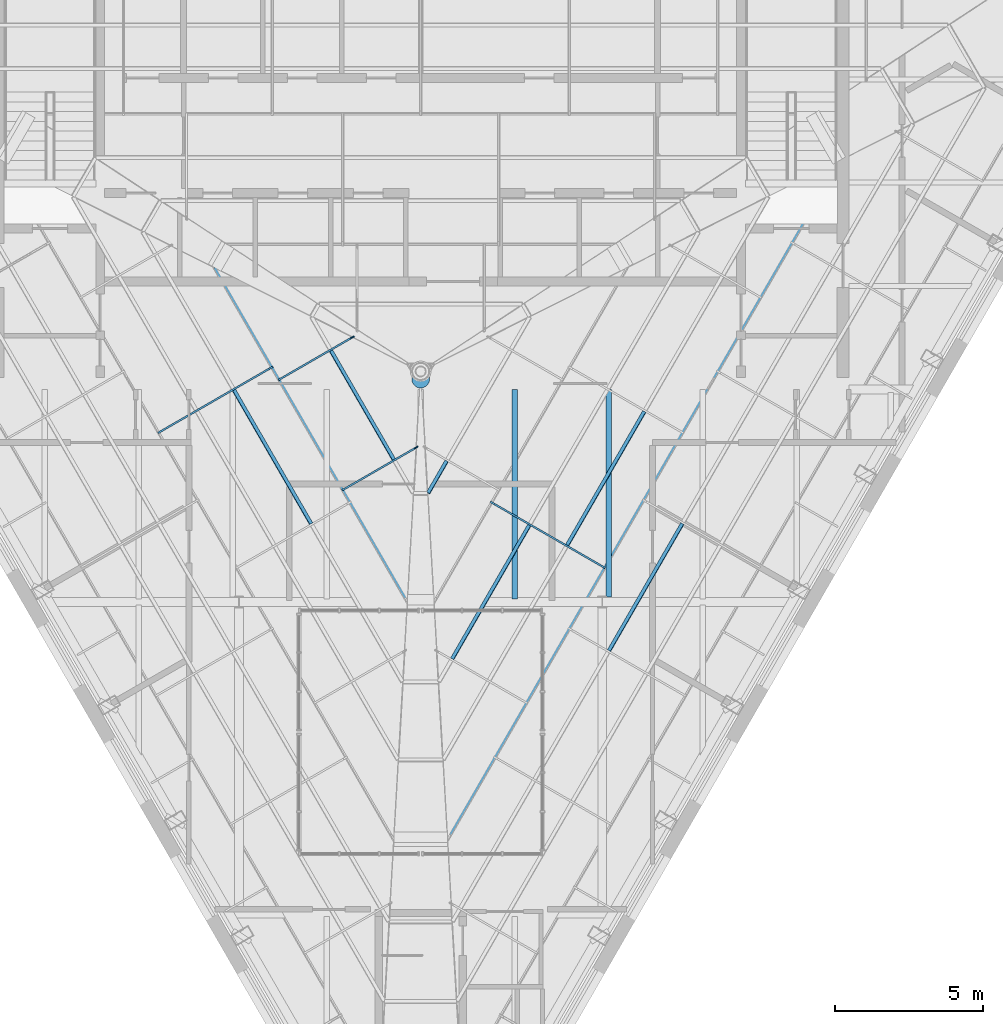
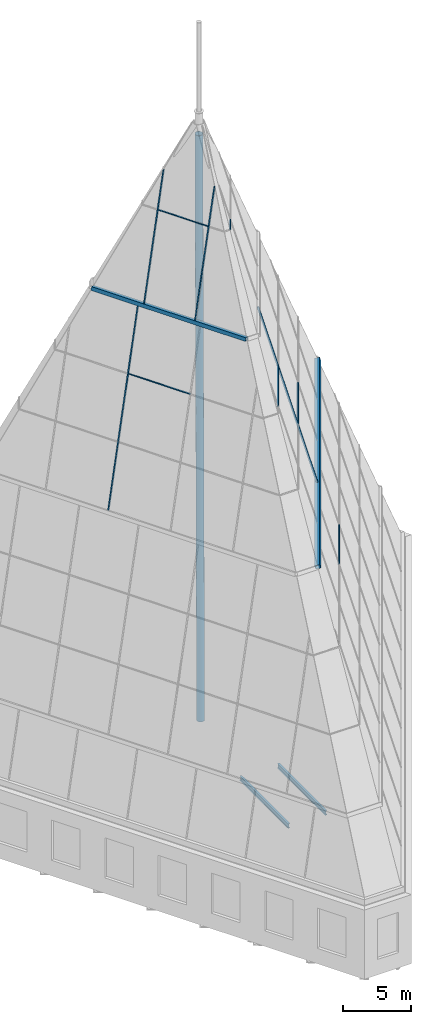
# One storey, part 18 of 36: 13 members, 2 beams, 5 elements without a shape of their own.
"""IFC4 building model written with IfcOpenShell, lengths in metres."""

from ifc_helpers import new_model, si_unit, direction, frame, origin, origin_2d, place, context, subcontext, project, spatial, rectangle, hollow_rectangle, hollow_circle, i_section, extrude, clip, halfspace, material, layer, layer_set, material_profile, profile_set, type_object, element, aggregate, save


model = new_model("IFC4")

# Units and contexts
model_context = context("Model", 3, precision=1e-05, world=origin(), true_north=direction((0.0, 1.0)))
body_context = subcontext(model_context, "Body", "Model", "MODEL_VIEW")
ifc_project = project(units=[si_unit("LENGTHUNIT", "METRE"), si_unit("AREAUNIT", "SQUARE_METRE"), si_unit("VOLUMEUNIT", "CUBIC_METRE"), si_unit("PLANEANGLEUNIT", "RADIAN"), si_unit("MASSUNIT", "GRAM", prefix="KILO")], contexts=[model_context])

# Site, building, storey
site_placement = place(None, origin())
site = spatial("IfcSite", under=ifc_project, at=site_placement, CompositionType="ELEMENT")
building_placement = place(site_placement, origin())
building = spatial("IfcBuilding", under=site, at=building_placement, Name="Njiva Tower", CompositionType="ELEMENT")
storey_placement = place(building_placement, frame((0.0, 0.0, 337.8)))
storey = spatial("IfcBuildingStorey", under=building, at=storey_placement, Name="L77", CompositionType="ELEMENT", Elevation=337.8)

# Beams
ifc_material_1 = material(Name="Steel S355 J2", Category="steel")
ifc_material_profile_1 = material_profile(ifc_material_1, i_section(OverallWidth=0.18, OverallDepth=0.4, WebThickness=0.0086, FlangeThickness=0.0135, at=origin_2d()), Name="IPE 400")
ifc_profile_set_1 = profile_set([ifc_material_profile_1], Name="Steel S355 J2")
beam_type = type_object("IfcBeamType", Name="B63 Floor joist IPE 400", PredefinedType="JOIST", material=ifc_profile_set_1)
beam_1_placement = place(storey_placement, frame((3.183, 3.995, -0.4), z_axis=(0.0, -1.0, 0.0), x_axis=(1.0, 0.0, 0.0)))
element("IfcBeam", 1, at=beam_1_placement, inside=storey, type_object=beam_type, Name="Floor joist CR-B044", PredefinedType="JOIST", context=body_context, shape_type="SweptSolid", body=[
    extrude(i_section(OverallWidth=0.18, OverallDepth=0.4, WebThickness=0.0086, FlangeThickness=0.0135, at=origin_2d()), origin(), (0.0, 0.0, 1.0), 7.095),
])
beam_2_placement = place(storey_placement, frame((6.367, 3.995, -0.4), z_axis=(0.0, -1.0, 0.0), x_axis=(1.0, 0.0, 0.0)))
element("IfcBeam", 2, at=beam_2_placement, inside=storey, type_object=beam_type, Name="Floor joist CR-B045", PredefinedType="JOIST", context=body_context, shape_type="SweptSolid", body=[
    extrude(i_section(OverallWidth=0.18, OverallDepth=0.4, WebThickness=0.0086, FlangeThickness=0.0135, at=origin_2d()), origin(), (0.0, 0.0, 1.0), 7.02),
])

# Curtain wall, member
ifc_material_2 = material(Name="Glazed curtain wall", Category="glass")
ifc_layer = layer(ifc_material_2, 0.16)
ifc_layer_set = layer_set([ifc_layer], Name="Glazed curtain wall")
curtain_wall_type = type_object("IfcCurtainWallType", Name="CW2 Crown glazing, faceted point, long faces", PredefinedType="NOTDEFINED", material=ifc_layer_set)
curtain_wall_1_placement = place(storey_placement, origin())
curtain_wall_1 = element("IfcCurtainWall", 3, at=curtain_wall_1_placement, inside=storey, type_object=curtain_wall_type, Name="Crown glazing face SW tier 3", PredefinedType="NOTDEFINED")
ifc_material_3 = material(Name="Aluminium mullion", Category="aluminium")
ifc_material_profile_2 = material_profile(ifc_material_3, rectangle(XDim=0.16, YDim=0.06, at=origin_2d()), Name="RECT 160x60")
ifc_profile_set_2 = profile_set([ifc_material_profile_2], Name="Aluminium mullion")
member_type_1 = type_object("IfcMemberType", Name="CW2-M Crown glazing mullion 160x60", PredefinedType="MULLION", material=ifc_profile_set_2)
member_1_placement = place(storey_placement, frame((-8.827, 2.5658, 28.6446), z_axis=(0.230736484816, 0.133214890489, 0.963853965872), x_axis=(-0.834723400261, -0.481924592217, 0.266431102676)))
member_1 = element("IfcMember", 4, at=member_1_placement, type_object=member_type_1, Name="CW2-33 mullion 2", PredefinedType="MULLION", context=body_context, shape_type="Clipping", body=[
    clip(clip(extrude(rectangle(XDim=0.16, YDim=0.06, at=origin_2d()), origin(), (0.0, 0.0, 1.0), 16.3), halfspace(frame((0.08, 0.0, 0.0), z_axis=(-2.717316e-06, 7.63292e-07, -0.999999999996), x_axis=(0.0, -1.0, -7.63292e-07)), False)), halfspace(frame((0.08, 0.0, 16.3), z_axis=(2.717316e-06, -7.63292e-07, 0.999999999996), x_axis=(0.0, 1.0, 7.63292e-07)), False)),
])

# Curtain wall, members
curtain_wall_2_placement = place(storey_placement, origin())
curtain_wall_2 = element("IfcCurtainWall", 5, at=curtain_wall_2_placement, inside=storey, type_object=curtain_wall_type, Name="Crown glazing face SW tier 4", PredefinedType="NOTDEFINED")
member_2_placement = place(storey_placement, frame((-4.754, 4.3567, 44.6446), z_axis=(0.230736089967, 0.13321040565, 0.963854680236), x_axis=(-0.834730687229, -0.481913399286, 0.266428518344)))
member_2 = element("IfcMember", 6, at=member_2_placement, type_object=member_type_1, Name="CW2-34 mullion 1", PredefinedType="MULLION", context=body_context, shape_type="Clipping", body=[
    clip(clip(extrude(rectangle(XDim=0.16, YDim=0.06, at=origin_2d()), origin(), (0.0, 0.0, 1.0), 10.6208), halfspace(frame((0.08, 0.0, 0.0), z_axis=(-3.6103e-08, 4.44986e-06, -0.99999999999), x_axis=(0.0, -0.99999999999, -4.44986e-06)), False)), halfspace(frame((0.08, 0.0, 10.6208), z_axis=(1.4927687e-05, -0.926534076595, 0.376210851367), x_axis=(0.0, 0.376210851409, 0.926534076698)), False)),
])
member_3_placement = place(storey_placement, frame((-2.5977, 0.6219, 44.6446), z_axis=(0.230727175717, 0.133210695044, 0.963856774169), x_axis=(-0.834723985154, -0.481929195754, 0.266420943037)))
member_3 = element("IfcMember", 7, at=member_3_placement, type_object=member_type_1, Name="CW2-34 mullion 2", PredefinedType="MULLION", context=body_context, shape_type="Clipping", body=[
    clip(clip(extrude(rectangle(XDim=0.16, YDim=0.06, at=origin_2d()), origin(), (0.0, 0.0, 1.0), 10.6208), halfspace(frame((0.08, 0.0, 0.0), z_axis=(7.823311e-06, -2.57894e-07, -0.999999999969), x_axis=(0.0, -1.0, 2.57894e-07)), False)), halfspace(frame((0.08, 0.0, 10.6208), z_axis=(-2.078321e-06, 0.926532499762, 0.376214735066), x_axis=(0.0, 0.376214735067, -0.926532499764)), False)),
])

# Curtain wall, member
curtain_wall_3_placement = place(storey_placement, origin())
curtain_wall_3 = element("IfcCurtainWall", 8, at=curtain_wall_3_placement, inside=storey, type_object=curtain_wall_type, Name="Crown glazing face SE tier 3", PredefinedType="NOTDEFINED")
member_4_placement = place(storey_placement, frame((6.1851, -2.01, 28.6446), z_axis=(-0.230730676449, 0.133215079061, 0.963855330253), x_axis=(0.834719033186, -0.48193488491, 0.266426166777)))
member_4 = element("IfcMember", 9, at=member_4_placement, type_object=member_type_1, Name="CW2-53 mullion 2", PredefinedType="MULLION", context=body_context, shape_type="Clipping", body=[
    clip(clip(extrude(rectangle(XDim=0.16, YDim=0.06, at=origin_2d()), origin(), (0.0, 0.0, 1.0), 16.3), halfspace(frame((0.08, 0.0, 0.0), z_axis=(2.403674e-06, 2.304212e-06, -0.999999999994), x_axis=(0.0, -0.999999999997, -2.304212e-06)), False)), halfspace(frame((0.08, 0.0, 16.3), z_axis=(-2.403674e-06, -2.304212e-06, 0.999999999994), x_axis=(0.0, 0.999999999997, 2.304212e-06)), False)),
])

# Member
ifc_material_4 = material(Name="Steel S355 J2H", Category="steel")
ifc_material_profile_3 = material_profile(ifc_material_4, hollow_rectangle(XDim=0.3, YDim=0.4, WallThickness=0.016, at=origin_2d()), Name="BOX 400x300x16")
ifc_profile_set_3 = profile_set([ifc_material_profile_3], Name="Steel S355 J2H")
member_type_2 = type_object("IfcMemberType", Name="CW2-R Crown glazing ring RHS 400x300x16", PredefinedType="USERDEFINED", material=ifc_profile_set_3)
member_5_placement = place(storey_placement, frame((-6.9754, 8.1242, 44.5), z_axis=(0.500004819799, -0.866022621054, 0.0), x_axis=(0.230733094007, 0.133215526114, 0.963854689739)))
member_5 = element("IfcMember", 10, at=member_5_placement, type_object=member_type_2, Name="Crown glazing ring", ObjectType="RING", PredefinedType="USERDEFINED", context=body_context, shape_type="SweptSolid", body=[
    extrude(hollow_rectangle(XDim=0.3, YDim=0.4, WallThickness=0.016, at=origin_2d()), origin(), (0.0, 0.0, 1.0), 13.0595),
])

# Curtain wall, member
curtain_wall_4_placement = place(storey_placement, origin())
curtain_wall_4 = element("IfcCurtainWall", 11, at=curtain_wall_4_placement, inside=storey, type_object=curtain_wall_type, Name="Crown glazing face SE tier 2", PredefinedType="NOTDEFINED")
member_6_placement = place(storey_placement, frame((0.9056, -11.2343, 28.5), z_axis=(0.499999794778, 0.86602552227, 0.0), x_axis=(-0.230733866974, 0.133214187306, 0.963854689739)))
member_6 = element("IfcMember", 12, at=member_6_placement, type_object=member_type_2, Name="Crown glazing ring", ObjectType="RING", PredefinedType="USERDEFINED", context=body_context, shape_type="SweptSolid", body=[
    extrude(hollow_rectangle(XDim=0.3, YDim=0.4, WallThickness=0.016, at=origin_2d()), origin(), (0.0, 0.0, 1.0), 26.5402),
])

# Member
ifc_material_5 = material(Name="Aluminium transom", Category="aluminium")
ifc_material_profile_4 = material_profile(ifc_material_5, rectangle(XDim=0.12, YDim=0.06, at=origin_2d()), Name="RECT 120x60")
ifc_profile_set_4 = profile_set([ifc_material_profile_4], Name="Aluminium transom")
member_type_3 = type_object("IfcMemberType", Name="CW2-T Crown glazing transom 120x60", PredefinedType="USERDEFINED", material=ifc_profile_set_4)
member_7_placement = place(storey_placement, frame((-6.3214, 3.9778, 39.1238), z_axis=(0.500011895634, -0.866018535728, 0.0), x_axis=(-0.834716027067, -0.481938810534, 0.266428483949)))
member_7 = element("IfcMember", 13, at=member_7_placement, type_object=member_type_3, Name="CW2-33 transom 3.2", ObjectType="TRANSOM", PredefinedType="USERDEFINED", context=body_context, shape_type="SweptSolid", body=[
    extrude(rectangle(XDim=0.12, YDim=0.06, at=origin_2d()), origin(), (0.0, 0.0, 1.0), 5.2237),
])

aggregate(curtain_wall_1, [member_1, member_7, member_5])

member_8_placement = place(storey_placement, frame((-3.0375, 5.3131, 51.8276), z_axis=(0.500006071987, -0.866021898093, 0.0), x_axis=(-0.834719267889, -0.481933197381, 0.266428483982)))
member_8 = element("IfcMember", 14, at=member_8_placement, type_object=member_type_3, Name="CW2-34 transom 2.1", ObjectType="TRANSOM", PredefinedType="USERDEFINED", context=body_context, shape_type="SweptSolid", body=[
    extrude(rectangle(XDim=0.12, YDim=0.06, at=origin_2d()), origin(), (0.0, 0.0, 1.0), 4.2525),
])

aggregate(curtain_wall_2, [member_2, member_3, member_8])

member_9_placement = place(storey_placement, frame((6.3778, -4.8436, 22.9905), z_axis=(0.500008699995, 0.866020380782, 0.0), x_axis=(0.834717805426, -0.4819357304, 0.266428483965)))
member_9 = element("IfcMember", 15, at=member_9_placement, type_object=member_type_3, Name="CW2-52 transom 4.2", ObjectType="TRANSOM", PredefinedType="USERDEFINED", context=body_context, shape_type="SweptSolid", body=[
    extrude(rectangle(XDim=0.12, YDim=0.06, at=origin_2d()), origin(), (0.0, 0.0, 1.0), 4.9695),
])

aggregate(curtain_wall_4, [member_9, member_6])

member_10_placement = place(storey_placement, frame((4.9632, -1.2698, 33.8869), z_axis=(0.499997537949, 0.866026825245, 0.0), x_axis=(0.834724016957, -0.481924971813, 0.266428483949)))
member_10 = element("IfcMember", 16, at=member_10_placement, type_object=member_type_3, Name="CW2-53 transom 3.1", ObjectType="TRANSOM", PredefinedType="USERDEFINED", context=body_context, shape_type="SweptSolid", body=[
    extrude(rectangle(XDim=0.12, YDim=0.06, at=origin_2d()), origin(), (0.0, 0.0, 1.0), 5.2236),
])

member_11_placement = place(storey_placement, frame((1.0677, -5.1219, 39.1238), z_axis=(0.499989248586, 0.866031611027, 0.0), x_axis=(0.834728629755, -0.481916982071, 0.266428483949)))
member_11 = element("IfcMember", 17, at=member_11_placement, type_object=member_type_3, Name="CW2-53 transom 2.2", ObjectType="TRANSOM", PredefinedType="USERDEFINED", context=body_context, shape_type="SweptSolid", body=[
    extrude(rectangle(XDim=0.12, YDim=0.06, at=origin_2d()), origin(), (0.0, 0.0, 1.0), 5.2237),
])

aggregate(curtain_wall_3, [member_4, member_10, member_11])

# Curtain wall, member
curtain_wall_5_placement = place(storey_placement, origin())
curtain_wall_5 = element("IfcCurtainWall", 18, at=curtain_wall_5_placement, inside=storey, type_object=curtain_wall_type, Name="Crown glazing face SE tier 4", PredefinedType="NOTDEFINED")
member_12_placement = place(storey_placement, frame((0.2518, 0.4882, 51.8276), z_axis=(0.500018155671, 0.866014921349, 0.0), x_axis=(0.834712543322, -0.481944844296, 0.266428483982)))
member_12 = element("IfcMember", 19, at=member_12_placement, type_object=member_type_3, Name="CW2-54 transom 1.1", ObjectType="TRANSOM", PredefinedType="USERDEFINED", context=body_context, shape_type="Clipping", body=[
    clip(extrude(rectangle(XDim=0.12, YDim=0.06, at=origin_2d()), origin(), (0.0, 0.0, 1.0), 1.2588), halfspace(frame((0.06, 0.0, 0.0), z_axis=(1.8722117e-05, -0.376209799033, -0.926534503816), x_axis=(0.0, -0.926534503978, 0.376209799099)), False)),
])
aggregate(curtain_wall_5, [member_12])

# Member
ifc_material_profile_5 = material_profile(ifc_material_4, hollow_circle(Radius=0.3, WallThickness=0.02, at=origin_2d()), Name="CHS 600x20")
ifc_profile_set_5 = profile_set([ifc_material_profile_5], Name="Steel S355 J2H")
member_type_4 = type_object("IfcMemberType", Name="SP3 Spire mast CHS 600x20", PredefinedType="USERDEFINED", material=ifc_profile_set_5)
member_13_placement = place(storey_placement, frame((0.0, 4.35, 5.7), z_axis=(0.0, 0.004999937501, 0.999987500234), x_axis=(-1.0, 0.0, 0.0)))
element("IfcMember", 20, at=member_13_placement, inside=storey, type_object=member_type_4, Name="Spire mast", ObjectType="SPIRE", PredefinedType="USERDEFINED", context=body_context, shape_type="SweptSolid", body=[
    extrude(hollow_circle(Radius=0.3, WallThickness=0.02, at=origin_2d()), origin(), (0.0, 0.0, 1.0), 52.3007),
])

save(model, "model.ifc")
